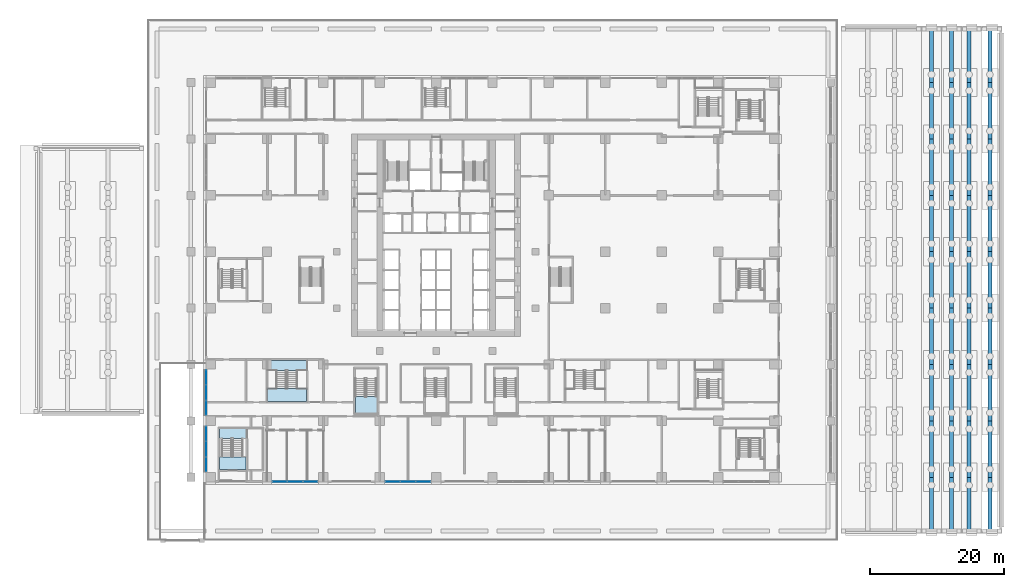
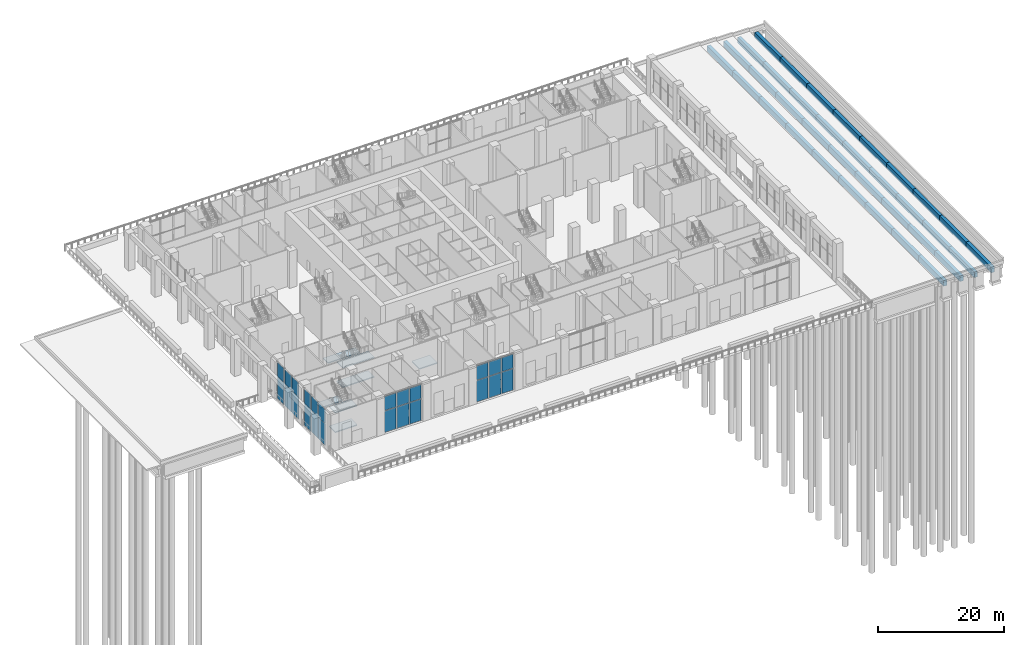
# One storey, part 14 of 53: 36 beams, 24 plates, 7 slabs, 7 elements without a shape of their own.
"""IFC4 building model written with IfcOpenShell, lengths in metres."""

from ifc_helpers import new_model, si_unit, direction, frame, origin, origin_2d, place, context, subcontext, project, spatial, polyline, rectangle, outline, extrude, material, layer, layer_set, material_profile, profile_set, type_object, element, aggregate, save


model = new_model("IFC4")

# Units and contexts
model_context = context("Model", 3, precision=1e-05, world=origin(), true_north=direction((0.0, 1.0)))
body_context = subcontext(model_context, "Body", "Model", "MODEL_VIEW")
ifc_project = project(units=[si_unit("LENGTHUNIT", "METRE"), si_unit("AREAUNIT", "SQUARE_METRE"), si_unit("VOLUMEUNIT", "CUBIC_METRE"), si_unit("PLANEANGLEUNIT", "RADIAN"), si_unit("MASSUNIT", "GRAM", prefix="KILO")], contexts=[model_context])

# Site, building, storey
site_placement = place(None, origin())
site = spatial("IfcSite", under=ifc_project, at=site_placement, CompositionType="ELEMENT")
building_placement = place(site_placement, origin())
building = spatial("IfcBuilding", under=site, at=building_placement, Name="Vermilion Ogive Tower", CompositionType="ELEMENT")
storey_placement = place(building_placement, origin())
storey = spatial("IfcBuildingStorey", under=building, at=storey_placement, Name="L00", CompositionType="ELEMENT", Elevation=0.0)

# Beams
ifc_material_1 = material(Name="Concrete B45", Category="concrete")
ifc_material_profile = material_profile(ifc_material_1, rectangle(XDim=0.60009765625, YDim=1.10009765625, at=origin_2d()), Name="RC 600x1100")
ifc_profile_set = profile_set([ifc_material_profile], Name="Concrete B45")
beam_type = type_object("IfcBeamType", Name="Quay wharf beam QB1 600x1100", PredefinedType="BEAM", material=ifc_profile_set)
beam_1_placement = place(storey_placement, frame((73.800048828125, -37.39990234375, -1.0), z_axis=(0.0, 1.0, 0.0), x_axis=(-1.0, 0.0, 0.0)))
element("IfcBeam", 1, at=beam_1_placement, inside=storey, type_object=beam_type, Name="Quay wharf beam SITE-STEP-1-L 1", PredefinedType="BEAM", context=body_context, shape_type="SweptSolid", body=[
    extrude(rectangle(XDim=0.60009765625, YDim=1.10009765625, at=origin_2d()), origin(), (0.0, 0.0, 1.0), 8.0),
])
for number, where, z_axis, x_axis, name in (
    (2, (73.800048828125, -29.39990234375, -1.0), (0.0, 1.0, 0.0), (-1.0, 0.0, 0.0), "Quay wharf beam SITE-STEP-1-L 2"),
    (3, (73.800048828125, -21.0, -1.0), (0.0, 1.0, 0.0), (-1.0, 0.0, 0.0), "Quay wharf beam SITE-STEP-1-L 3"),
):
    element("IfcBeam", number, at=place(storey_placement, frame(where, z_axis=z_axis, x_axis=x_axis)), inside=storey, type_object=beam_type, Name=name, PredefinedType="BEAM", context=body_context, shape_type="SweptSolid", body=[
        extrude(rectangle(XDim=0.60009765625, YDim=1.10009765625, at=origin_2d()), origin(), (0.0, 0.0, 1.0), 8.39990234375),
    ])
beam_2_placement = place(storey_placement, frame((73.800048828125, -12.60009765625, -1.0), z_axis=(0.0, 1.0, 0.0), x_axis=(-1.0, 0.0, 0.0)))
element("IfcBeam", 4, at=beam_2_placement, inside=storey, type_object=beam_type, Name="Quay wharf beam SITE-STEP-1-L 4", PredefinedType="BEAM", context=body_context, shape_type="SweptSolid", body=[
    extrude(rectangle(XDim=0.60009765625, YDim=1.10009765625, at=origin_2d()), origin(), (0.0, 0.0, 1.0), 8.400146484375),
])
beam_3_placement = place(storey_placement, frame((73.800048828125, -4.199951171875, -1.0), z_axis=(0.0, 1.0, 0.0), x_axis=(-1.0, 0.0, 0.0)))
element("IfcBeam", 5, at=beam_3_placement, inside=storey, type_object=beam_type, Name="Quay wharf beam SITE-STEP-1-L 5", PredefinedType="BEAM", context=body_context, shape_type="SweptSolid", body=[
    extrude(rectangle(XDim=0.60009765625, YDim=1.10009765625, at=origin_2d()), origin(), (0.0, 0.0, 1.0), 8.39990234375),
])
beam_4_placement = place(storey_placement, frame((73.800048828125, 4.199951171875, -1.0), z_axis=(0.0, 1.0, 0.0), x_axis=(-1.0, 0.0, 0.0)))
element("IfcBeam", 6, at=beam_4_placement, inside=storey, type_object=beam_type, Name="Quay wharf beam SITE-STEP-1-L 6", PredefinedType="BEAM", context=body_context, shape_type="SweptSolid", body=[
    extrude(rectangle(XDim=0.60009765625, YDim=1.10009765625, at=origin_2d()), origin(), (0.0, 0.0, 1.0), 8.400146484375),
])
for number, where, z_axis, x_axis, name in (
    (7, (73.800048828125, 12.60009765625, -1.0), (0.0, 1.0, 0.0), (-1.0, 0.0, 0.0), "Quay wharf beam SITE-STEP-1-L 7"),
    (8, (73.800048828125, 21.0, -1.0), (0.0, 1.0, 0.0), (-1.0, 0.0, 0.0), "Quay wharf beam SITE-STEP-1-L 8"),
):
    element("IfcBeam", number, at=place(storey_placement, frame(where, z_axis=z_axis, x_axis=x_axis)), inside=storey, type_object=beam_type, Name=name, PredefinedType="BEAM", context=body_context, shape_type="SweptSolid", body=[
        extrude(rectangle(XDim=0.60009765625, YDim=1.10009765625, at=origin_2d()), origin(), (0.0, 0.0, 1.0), 8.39990234375),
    ])
for number, where, z_axis, x_axis, name in (
    (9, (73.800048828125, 29.39990234375, -1.0), (0.0, 1.0, 0.0), (-1.0, 0.0, 0.0), "Quay wharf beam SITE-STEP-1-L 9"),
    (10, (76.800048828125, -37.39990234375, -1.150146484375), (0.0, 1.0, 0.0), (-1.0, 0.0, 0.0), "Quay wharf beam SITE-STEP-2-L 1"),
):
    element("IfcBeam", number, at=place(storey_placement, frame(where, z_axis=z_axis, x_axis=x_axis)), inside=storey, type_object=beam_type, Name=name, PredefinedType="BEAM", context=body_context, shape_type="SweptSolid", body=[
        extrude(rectangle(XDim=0.60009765625, YDim=1.10009765625, at=origin_2d()), origin(), (0.0, 0.0, 1.0), 8.0),
    ])
for number, where, z_axis, x_axis, name in (
    (11, (76.800048828125, -29.39990234375, -1.150146484375), (0.0, 1.0, 0.0), (-1.0, 0.0, 0.0), "Quay wharf beam SITE-STEP-2-L 2"),
    (12, (76.800048828125, -21.0, -1.150146484375), (0.0, 1.0, 0.0), (-1.0, 0.0, 0.0), "Quay wharf beam SITE-STEP-2-L 3"),
):
    element("IfcBeam", number, at=place(storey_placement, frame(where, z_axis=z_axis, x_axis=x_axis)), inside=storey, type_object=beam_type, Name=name, PredefinedType="BEAM", context=body_context, shape_type="SweptSolid", body=[
        extrude(rectangle(XDim=0.60009765625, YDim=1.10009765625, at=origin_2d()), origin(), (0.0, 0.0, 1.0), 8.39990234375),
    ])
beam_5_placement = place(storey_placement, frame((76.800048828125, -12.60009765625, -1.150146484375), z_axis=(0.0, 1.0, 0.0), x_axis=(-1.0, 0.0, 0.0)))
element("IfcBeam", 13, at=beam_5_placement, inside=storey, type_object=beam_type, Name="Quay wharf beam SITE-STEP-2-L 4", PredefinedType="BEAM", context=body_context, shape_type="SweptSolid", body=[
    extrude(rectangle(XDim=0.60009765625, YDim=1.10009765625, at=origin_2d()), origin(), (0.0, 0.0, 1.0), 8.400146484375),
])
beam_6_placement = place(storey_placement, frame((76.800048828125, -4.199951171875, -1.150146484375), z_axis=(0.0, 1.0, 0.0), x_axis=(-1.0, 0.0, 0.0)))
element("IfcBeam", 14, at=beam_6_placement, inside=storey, type_object=beam_type, Name="Quay wharf beam SITE-STEP-2-L 5", PredefinedType="BEAM", context=body_context, shape_type="SweptSolid", body=[
    extrude(rectangle(XDim=0.60009765625, YDim=1.10009765625, at=origin_2d()), origin(), (0.0, 0.0, 1.0), 8.39990234375),
])
beam_7_placement = place(storey_placement, frame((76.800048828125, 4.199951171875, -1.150146484375), z_axis=(0.0, 1.0, 0.0), x_axis=(-1.0, 0.0, 0.0)))
element("IfcBeam", 15, at=beam_7_placement, inside=storey, type_object=beam_type, Name="Quay wharf beam SITE-STEP-2-L 6", PredefinedType="BEAM", context=body_context, shape_type="SweptSolid", body=[
    extrude(rectangle(XDim=0.60009765625, YDim=1.10009765625, at=origin_2d()), origin(), (0.0, 0.0, 1.0), 8.400146484375),
])
for number, where, z_axis, x_axis, name in (
    (16, (76.800048828125, 12.60009765625, -1.150146484375), (0.0, 1.0, 0.0), (-1.0, 0.0, 0.0), "Quay wharf beam SITE-STEP-2-L 7"),
    (17, (76.800048828125, 21.0, -1.150146484375), (0.0, 1.0, 0.0), (-1.0, 0.0, 0.0), "Quay wharf beam SITE-STEP-2-L 8"),
):
    element("IfcBeam", number, at=place(storey_placement, frame(where, z_axis=z_axis, x_axis=x_axis)), inside=storey, type_object=beam_type, Name=name, PredefinedType="BEAM", context=body_context, shape_type="SweptSolid", body=[
        extrude(rectangle(XDim=0.60009765625, YDim=1.10009765625, at=origin_2d()), origin(), (0.0, 0.0, 1.0), 8.39990234375),
    ])
for number, where, z_axis, x_axis, name in (
    (18, (76.800048828125, 29.39990234375, -1.150146484375), (0.0, 1.0, 0.0), (-1.0, 0.0, 0.0), "Quay wharf beam SITE-STEP-2-L 9"),
    (19, (79.39990234375, -37.39990234375, -1.300048828125), (0.0, 1.0, 0.0), (-1.0, 0.0, 0.0), "Quay wharf beam SITE-STEP-3-L 1"),
):
    element("IfcBeam", number, at=place(storey_placement, frame(where, z_axis=z_axis, x_axis=x_axis)), inside=storey, type_object=beam_type, Name=name, PredefinedType="BEAM", context=body_context, shape_type="SweptSolid", body=[
        extrude(rectangle(XDim=0.60009765625, YDim=1.10009765625, at=origin_2d()), origin(), (0.0, 0.0, 1.0), 8.0),
    ])
for number, where, z_axis, x_axis, name in (
    (20, (79.39990234375, -29.39990234375, -1.300048828125), (0.0, 1.0, 0.0), (-1.0, 0.0, 0.0), "Quay wharf beam SITE-STEP-3-L 2"),
    (21, (79.39990234375, -21.0, -1.300048828125), (0.0, 1.0, 0.0), (-1.0, 0.0, 0.0), "Quay wharf beam SITE-STEP-3-L 3"),
):
    element("IfcBeam", number, at=place(storey_placement, frame(where, z_axis=z_axis, x_axis=x_axis)), inside=storey, type_object=beam_type, Name=name, PredefinedType="BEAM", context=body_context, shape_type="SweptSolid", body=[
        extrude(rectangle(XDim=0.60009765625, YDim=1.10009765625, at=origin_2d()), origin(), (0.0, 0.0, 1.0), 8.39990234375),
    ])
beam_8_placement = place(storey_placement, frame((79.39990234375, -12.60009765625, -1.300048828125), z_axis=(0.0, 1.0, 0.0), x_axis=(-1.0, 0.0, 0.0)))
element("IfcBeam", 22, at=beam_8_placement, inside=storey, type_object=beam_type, Name="Quay wharf beam SITE-STEP-3-L 4", PredefinedType="BEAM", context=body_context, shape_type="SweptSolid", body=[
    extrude(rectangle(XDim=0.60009765625, YDim=1.10009765625, at=origin_2d()), origin(), (0.0, 0.0, 1.0), 8.400146484375),
])
beam_9_placement = place(storey_placement, frame((79.39990234375, -4.199951171875, -1.300048828125), z_axis=(0.0, 1.0, 0.0), x_axis=(-1.0, 0.0, 0.0)))
element("IfcBeam", 23, at=beam_9_placement, inside=storey, type_object=beam_type, Name="Quay wharf beam SITE-STEP-3-L 5", PredefinedType="BEAM", context=body_context, shape_type="SweptSolid", body=[
    extrude(rectangle(XDim=0.60009765625, YDim=1.10009765625, at=origin_2d()), origin(), (0.0, 0.0, 1.0), 8.39990234375),
])
beam_10_placement = place(storey_placement, frame((79.39990234375, 4.199951171875, -1.300048828125), z_axis=(0.0, 1.0, 0.0), x_axis=(-1.0, 0.0, 0.0)))
element("IfcBeam", 24, at=beam_10_placement, inside=storey, type_object=beam_type, Name="Quay wharf beam SITE-STEP-3-L 6", PredefinedType="BEAM", context=body_context, shape_type="SweptSolid", body=[
    extrude(rectangle(XDim=0.60009765625, YDim=1.10009765625, at=origin_2d()), origin(), (0.0, 0.0, 1.0), 8.400146484375),
])
for number, where, z_axis, x_axis, name in (
    (25, (79.39990234375, 12.60009765625, -1.300048828125), (0.0, 1.0, 0.0), (-1.0, 0.0, 0.0), "Quay wharf beam SITE-STEP-3-L 7"),
    (26, (79.39990234375, 21.0, -1.300048828125), (0.0, 1.0, 0.0), (-1.0, 0.0, 0.0), "Quay wharf beam SITE-STEP-3-L 8"),
):
    element("IfcBeam", number, at=place(storey_placement, frame(where, z_axis=z_axis, x_axis=x_axis)), inside=storey, type_object=beam_type, Name=name, PredefinedType="BEAM", context=body_context, shape_type="SweptSolid", body=[
        extrude(rectangle(XDim=0.60009765625, YDim=1.10009765625, at=origin_2d()), origin(), (0.0, 0.0, 1.0), 8.39990234375),
    ])
for number, where, z_axis, x_axis, name in (
    (27, (79.39990234375, 29.39990234375, -1.300048828125), (0.0, 1.0, 0.0), (-1.0, 0.0, 0.0), "Quay wharf beam SITE-STEP-3-L 9"),
    (28, (82.5, -37.39990234375, -1.449951171875), (0.0, 1.0, 0.0), (-1.0, 0.0, 0.0), "Quay wharf beam SITE-STEP-4-L 1"),
):
    element("IfcBeam", number, at=place(storey_placement, frame(where, z_axis=z_axis, x_axis=x_axis)), inside=storey, type_object=beam_type, Name=name, PredefinedType="BEAM", context=body_context, shape_type="SweptSolid", body=[
        extrude(rectangle(XDim=0.60009765625, YDim=1.10009765625, at=origin_2d()), origin(), (0.0, 0.0, 1.0), 8.0),
    ])
for number, where, z_axis, x_axis, name in (
    (29, (82.5, -29.39990234375, -1.449951171875), (0.0, 1.0, 0.0), (-1.0, 0.0, 0.0), "Quay wharf beam SITE-STEP-4-L 2"),
    (30, (82.5, -21.0, -1.449951171875), (0.0, 1.0, 0.0), (-1.0, 0.0, 0.0), "Quay wharf beam SITE-STEP-4-L 3"),
):
    element("IfcBeam", number, at=place(storey_placement, frame(where, z_axis=z_axis, x_axis=x_axis)), inside=storey, type_object=beam_type, Name=name, PredefinedType="BEAM", context=body_context, shape_type="SweptSolid", body=[
        extrude(rectangle(XDim=0.60009765625, YDim=1.10009765625, at=origin_2d()), origin(), (0.0, 0.0, 1.0), 8.39990234375),
    ])
beam_11_placement = place(storey_placement, frame((82.5, -12.60009765625, -1.449951171875), z_axis=(0.0, 1.0, 0.0), x_axis=(-1.0, 0.0, 0.0)))
element("IfcBeam", 31, at=beam_11_placement, inside=storey, type_object=beam_type, Name="Quay wharf beam SITE-STEP-4-L 4", PredefinedType="BEAM", context=body_context, shape_type="SweptSolid", body=[
    extrude(rectangle(XDim=0.60009765625, YDim=1.10009765625, at=origin_2d()), origin(), (0.0, 0.0, 1.0), 8.400146484375),
])
beam_12_placement = place(storey_placement, frame((82.5, -4.199951171875, -1.449951171875), z_axis=(0.0, 1.0, 0.0), x_axis=(-1.0, 0.0, 0.0)))
element("IfcBeam", 32, at=beam_12_placement, inside=storey, type_object=beam_type, Name="Quay wharf beam SITE-STEP-4-L 5", PredefinedType="BEAM", context=body_context, shape_type="SweptSolid", body=[
    extrude(rectangle(XDim=0.60009765625, YDim=1.10009765625, at=origin_2d()), origin(), (0.0, 0.0, 1.0), 8.39990234375),
])
beam_13_placement = place(storey_placement, frame((82.5, 4.199951171875, -1.449951171875), z_axis=(0.0, 1.0, 0.0), x_axis=(-1.0, 0.0, 0.0)))
element("IfcBeam", 33, at=beam_13_placement, inside=storey, type_object=beam_type, Name="Quay wharf beam SITE-STEP-4-L 6", PredefinedType="BEAM", context=body_context, shape_type="SweptSolid", body=[
    extrude(rectangle(XDim=0.60009765625, YDim=1.10009765625, at=origin_2d()), origin(), (0.0, 0.0, 1.0), 8.400146484375),
])
for number, where, z_axis, x_axis, name in (
    (34, (82.5, 12.60009765625, -1.449951171875), (0.0, 1.0, 0.0), (-1.0, 0.0, 0.0), "Quay wharf beam SITE-STEP-4-L 7"),
    (35, (82.5, 21.0, -1.449951171875), (0.0, 1.0, 0.0), (-1.0, 0.0, 0.0), "Quay wharf beam SITE-STEP-4-L 8"),
):
    element("IfcBeam", number, at=place(storey_placement, frame(where, z_axis=z_axis, x_axis=x_axis)), inside=storey, type_object=beam_type, Name=name, PredefinedType="BEAM", context=body_context, shape_type="SweptSolid", body=[
        extrude(rectangle(XDim=0.60009765625, YDim=1.10009765625, at=origin_2d()), origin(), (0.0, 0.0, 1.0), 8.39990234375),
    ])
beam_14_placement = place(storey_placement, frame((82.5, 29.39990234375, -1.449951171875), z_axis=(0.0, 1.0, 0.0), x_axis=(-1.0, 0.0, 0.0)))
element("IfcBeam", 36, at=beam_14_placement, inside=storey, type_object=beam_type, Name="Quay wharf beam SITE-STEP-4-L 9", PredefinedType="BEAM", context=body_context, shape_type="SweptSolid", body=[
    extrude(rectangle(XDim=0.60009765625, YDim=1.10009765625, at=origin_2d()), origin(), (0.0, 0.0, 1.0), 8.0),
])

# Curtain wall, plates
ifc_material_2 = material(Name="Clear double glazing in aluminium frame", Category="aluminium")
curtain_wall_type = type_object("IfcCurtainWallType", Name="Curtain wall CW1", PredefinedType="NOTDEFINED", material=ifc_material_2)
curtain_wall_1_placement = place(storey_placement, origin())
curtain_wall_1 = element("IfcCurtainWall", 37, at=curtain_wall_1_placement, inside=storey, type_object=curtain_wall_type, Name="CW1 shopfront glazing S2", PredefinedType="NOTDEFINED")
ifc_material_3 = material(Name="Clear double glazing in aluminium frame", Category="aluminium")
ifc_layer_1 = layer(ifc_material_3, 0.031982421875)
ifc_layer_set_1 = layer_set([ifc_layer_1], Name="CW1 glazing panel 32")
plate_type = type_object("IfcPlateType", Name="CW1 glazing panel 32", PredefinedType="CURTAIN_PANEL", material=ifc_layer_set_1)
plate_1_placement = place(storey_placement, frame((-23.288330078125, -30.06005859375, 0.06005859375), z_axis=(0.0, 0.0, 1.0), x_axis=(1.0, 0.0, 0.0)))
plate_1 = element("IfcPlate", 38, at=plate_1_placement, type_object=plate_type, Name="CW1-S2 panel 1.1", PredefinedType="CURTAIN_PANEL", context=body_context, shape_type="SweptSolid", body=[
    extrude(rectangle(XDim=2.063232421875, YDim=0.031982421875, at=origin_2d()), origin(), (0.0, 0.0, 1.0), 4.169921875),
])
plate_2_placement = place(storey_placement, frame((-23.288330078125, -30.06005859375, 4.2900390625), z_axis=(0.0, 0.0, 1.0), x_axis=(1.0, 0.0, 0.0)))
plate_2 = element("IfcPlate", 39, at=plate_2_placement, type_object=plate_type, Name="CW1-S2 panel 1.2", PredefinedType="CURTAIN_PANEL", context=body_context, shape_type="SweptSolid", body=[
    extrude(rectangle(XDim=2.063232421875, YDim=0.031982421875, at=origin_2d()), origin(), (0.0, 0.0, 1.0), 2.75),
])
plate_3_placement = place(storey_placement, frame((-21.0, -30.06005859375, 0.06005859375), z_axis=(0.0, 0.0, 1.0), x_axis=(1.0, 0.0, 0.0)))
plate_3 = element("IfcPlate", 40, at=plate_3_placement, type_object=plate_type, Name="CW1-S2 panel 2.1", PredefinedType="CURTAIN_PANEL", context=body_context, shape_type="SweptSolid", body=[
    extrude(rectangle(XDim=2.1533203125, YDim=0.031982421875, at=origin_2d()), origin(), (0.0, 0.0, 1.0), 4.169921875),
])
plate_4_placement = place(storey_placement, frame((-21.0, -30.06005859375, 4.2900390625), z_axis=(0.0, 0.0, 1.0), x_axis=(1.0, 0.0, 0.0)))
plate_4 = element("IfcPlate", 41, at=plate_4_placement, type_object=plate_type, Name="CW1-S2 panel 2.2", PredefinedType="CURTAIN_PANEL", context=body_context, shape_type="SweptSolid", body=[
    extrude(rectangle(XDim=2.1533203125, YDim=0.031982421875, at=origin_2d()), origin(), (0.0, 0.0, 1.0), 2.75),
])
plate_5_placement = place(storey_placement, frame((-18.711669921875, -30.06005859375, 0.06005859375), z_axis=(0.0, 0.0, 1.0), x_axis=(1.0, 0.0, 0.0)))
plate_5 = element("IfcPlate", 42, at=plate_5_placement, type_object=plate_type, Name="CW1-S2 panel 3.1", PredefinedType="CURTAIN_PANEL", context=body_context, shape_type="SweptSolid", body=[
    extrude(rectangle(XDim=2.063232421875, YDim=0.031982421875, at=origin_2d()), origin(), (0.0, 0.0, 1.0), 4.169921875),
])
plate_6_placement = place(storey_placement, frame((-18.711669921875, -30.06005859375, 4.2900390625), z_axis=(0.0, 0.0, 1.0), x_axis=(1.0, 0.0, 0.0)))
plate_6 = element("IfcPlate", 43, at=plate_6_placement, type_object=plate_type, Name="CW1-S2 panel 3.2", PredefinedType="CURTAIN_PANEL", context=body_context, shape_type="SweptSolid", body=[
    extrude(rectangle(XDim=2.063232421875, YDim=0.031982421875, at=origin_2d()), origin(), (0.0, 0.0, 1.0), 2.75),
])
aggregate(curtain_wall_1, [plate_1, plate_2, plate_3, plate_4, plate_5, plate_6])

curtain_wall_2_placement = place(storey_placement, origin())
curtain_wall_2 = element("IfcCurtainWall", 44, at=curtain_wall_2_placement, inside=storey, type_object=curtain_wall_type, Name="CW1 shopfront glazing S4", PredefinedType="NOTDEFINED")
plate_7_placement = place(storey_placement, frame((-6.48828125, -30.06005859375, 0.06005859375), z_axis=(0.0, 0.0, 1.0), x_axis=(1.0, 0.0, 0.0)))
plate_7 = element("IfcPlate", 45, at=plate_7_placement, type_object=plate_type, Name="CW1-S4 panel 1.1", PredefinedType="CURTAIN_PANEL", context=body_context, shape_type="SweptSolid", body=[
    extrude(rectangle(XDim=2.063232421875, YDim=0.031982421875, at=origin_2d()), origin(), (0.0, 0.0, 1.0), 4.169921875),
])
plate_8_placement = place(storey_placement, frame((-6.48828125, -30.06005859375, 4.2900390625), z_axis=(0.0, 0.0, 1.0), x_axis=(1.0, 0.0, 0.0)))
plate_8 = element("IfcPlate", 46, at=plate_8_placement, type_object=plate_type, Name="CW1-S4 panel 1.2", PredefinedType="CURTAIN_PANEL", context=body_context, shape_type="SweptSolid", body=[
    extrude(rectangle(XDim=2.063232421875, YDim=0.031982421875, at=origin_2d()), origin(), (0.0, 0.0, 1.0), 2.75),
])
plate_9_placement = place(storey_placement, frame((-4.199951171875, -30.06005859375, 0.06005859375), z_axis=(0.0, 0.0, 1.0), x_axis=(1.0, 0.0, 0.0)))
plate_9 = element("IfcPlate", 47, at=plate_9_placement, type_object=plate_type, Name="CW1-S4 panel 2.1", PredefinedType="CURTAIN_PANEL", context=body_context, shape_type="SweptSolid", body=[
    extrude(rectangle(XDim=2.1533203125, YDim=0.031982421875, at=origin_2d()), origin(), (0.0, 0.0, 1.0), 4.169921875),
])
plate_10_placement = place(storey_placement, frame((-4.199951171875, -30.06005859375, 4.2900390625), z_axis=(0.0, 0.0, 1.0), x_axis=(1.0, 0.0, 0.0)))
plate_10 = element("IfcPlate", 48, at=plate_10_placement, type_object=plate_type, Name="CW1-S4 panel 2.2", PredefinedType="CURTAIN_PANEL", context=body_context, shape_type="SweptSolid", body=[
    extrude(rectangle(XDim=2.1533203125, YDim=0.031982421875, at=origin_2d()), origin(), (0.0, 0.0, 1.0), 2.75),
])
plate_11_placement = place(storey_placement, frame((-1.91162109375, -30.06005859375, 0.06005859375), z_axis=(0.0, 0.0, 1.0), x_axis=(1.0, 0.0, 0.0)))
plate_11 = element("IfcPlate", 49, at=plate_11_placement, type_object=plate_type, Name="CW1-S4 panel 3.1", PredefinedType="CURTAIN_PANEL", context=body_context, shape_type="SweptSolid", body=[
    extrude(rectangle(XDim=2.063232421875, YDim=0.031982421875, at=origin_2d()), origin(), (0.0, 0.0, 1.0), 4.169921875),
])
plate_12_placement = place(storey_placement, frame((-1.91162109375, -30.06005859375, 4.2900390625), z_axis=(0.0, 0.0, 1.0), x_axis=(1.0, 0.0, 0.0)))
plate_12 = element("IfcPlate", 50, at=plate_12_placement, type_object=plate_type, Name="CW1-S4 panel 3.2", PredefinedType="CURTAIN_PANEL", context=body_context, shape_type="SweptSolid", body=[
    extrude(rectangle(XDim=2.063232421875, YDim=0.031982421875, at=origin_2d()), origin(), (0.0, 0.0, 1.0), 2.75),
])
aggregate(curtain_wall_2, [plate_7, plate_8, plate_9, plate_10, plate_11, plate_12])

curtain_wall_3_placement = place(storey_placement, origin())
curtain_wall_3 = element("IfcCurtainWall", 51, at=curtain_wall_3_placement, inside=storey, type_object=curtain_wall_type, Name="CW1 shopfront glazing W6", PredefinedType="NOTDEFINED")
plate_13_placement = place(storey_placement, frame((-34.260009765625, -14.51171875, 0.06005859375), z_axis=(0.0, 0.0, 1.0), x_axis=(0.0, -1.0, 0.0)))
plate_13 = element("IfcPlate", 52, at=plate_13_placement, type_object=plate_type, Name="CW1-W6 panel 1.1", PredefinedType="CURTAIN_PANEL", context=body_context, shape_type="SweptSolid", body=[
    extrude(rectangle(XDim=2.063232421875, YDim=0.031982421875, at=origin_2d()), origin(), (0.0, 0.0, 1.0), 4.169921875),
])
plate_14_placement = place(storey_placement, frame((-34.260009765625, -14.51171875, 4.2900390625), z_axis=(0.0, 0.0, 1.0), x_axis=(0.0, -1.0, 0.0)))
plate_14 = element("IfcPlate", 53, at=plate_14_placement, type_object=plate_type, Name="CW1-W6 panel 1.2", PredefinedType="CURTAIN_PANEL", context=body_context, shape_type="SweptSolid", body=[
    extrude(rectangle(XDim=2.063232421875, YDim=0.031982421875, at=origin_2d()), origin(), (0.0, 0.0, 1.0), 2.75),
])
plate_15_placement = place(storey_placement, frame((-34.260009765625, -16.800048828125, 0.06005859375), z_axis=(0.0, 0.0, 1.0), x_axis=(0.0, -1.0, 0.0)))
plate_15 = element("IfcPlate", 54, at=plate_15_placement, type_object=plate_type, Name="CW1-W6 panel 2.1", PredefinedType="CURTAIN_PANEL", context=body_context, shape_type="SweptSolid", body=[
    extrude(rectangle(XDim=2.1533203125, YDim=0.031982421875, at=origin_2d()), origin(), (0.0, 0.0, 1.0), 4.169921875),
])
plate_16_placement = place(storey_placement, frame((-34.260009765625, -16.800048828125, 4.2900390625), z_axis=(0.0, 0.0, 1.0), x_axis=(0.0, -1.0, 0.0)))
plate_16 = element("IfcPlate", 55, at=plate_16_placement, type_object=plate_type, Name="CW1-W6 panel 2.2", PredefinedType="CURTAIN_PANEL", context=body_context, shape_type="SweptSolid", body=[
    extrude(rectangle(XDim=2.1533203125, YDim=0.031982421875, at=origin_2d()), origin(), (0.0, 0.0, 1.0), 2.75),
])
plate_17_placement = place(storey_placement, frame((-34.260009765625, -19.08837890625, 0.06005859375), z_axis=(0.0, 0.0, 1.0), x_axis=(0.0, -1.0, 0.0)))
plate_17 = element("IfcPlate", 56, at=plate_17_placement, type_object=plate_type, Name="CW1-W6 panel 3.1", PredefinedType="CURTAIN_PANEL", context=body_context, shape_type="SweptSolid", body=[
    extrude(rectangle(XDim=2.063232421875, YDim=0.031982421875, at=origin_2d()), origin(), (0.0, 0.0, 1.0), 4.169921875),
])
plate_18_placement = place(storey_placement, frame((-34.260009765625, -19.08837890625, 4.2900390625), z_axis=(0.0, 0.0, 1.0), x_axis=(0.0, -1.0, 0.0)))
plate_18 = element("IfcPlate", 57, at=plate_18_placement, type_object=plate_type, Name="CW1-W6 panel 3.2", PredefinedType="CURTAIN_PANEL", context=body_context, shape_type="SweptSolid", body=[
    extrude(rectangle(XDim=2.063232421875, YDim=0.031982421875, at=origin_2d()), origin(), (0.0, 0.0, 1.0), 2.75),
])
aggregate(curtain_wall_3, [plate_13, plate_14, plate_15, plate_16, plate_17, plate_18])

curtain_wall_4_placement = place(storey_placement, origin())
curtain_wall_4 = element("IfcCurtainWall", 58, at=curtain_wall_4_placement, inside=storey, type_object=curtain_wall_type, Name="CW1 shopfront glazing W7", PredefinedType="NOTDEFINED")
plate_19_placement = place(storey_placement, frame((-34.260009765625, -22.91162109375, 0.06005859375), z_axis=(0.0, 0.0, 1.0), x_axis=(0.0, -1.0, 0.0)))
plate_19 = element("IfcPlate", 59, at=plate_19_placement, type_object=plate_type, Name="CW1-W7 panel 1.1", PredefinedType="CURTAIN_PANEL", context=body_context, shape_type="SweptSolid", body=[
    extrude(rectangle(XDim=2.063232421875, YDim=0.031982421875, at=origin_2d()), origin(), (0.0, 0.0, 1.0), 4.169921875),
])
plate_20_placement = place(storey_placement, frame((-34.260009765625, -22.91162109375, 4.2900390625), z_axis=(0.0, 0.0, 1.0), x_axis=(0.0, -1.0, 0.0)))
plate_20 = element("IfcPlate", 60, at=plate_20_placement, type_object=plate_type, Name="CW1-W7 panel 1.2", PredefinedType="CURTAIN_PANEL", context=body_context, shape_type="SweptSolid", body=[
    extrude(rectangle(XDim=2.063232421875, YDim=0.031982421875, at=origin_2d()), origin(), (0.0, 0.0, 1.0), 2.75),
])
plate_21_placement = place(storey_placement, frame((-34.260009765625, -25.199951171875, 0.06005859375), z_axis=(0.0, 0.0, 1.0), x_axis=(0.0, -1.0, 0.0)))
plate_21 = element("IfcPlate", 61, at=plate_21_placement, type_object=plate_type, Name="CW1-W7 panel 2.1", PredefinedType="CURTAIN_PANEL", context=body_context, shape_type="SweptSolid", body=[
    extrude(rectangle(XDim=2.1533203125, YDim=0.031982421875, at=origin_2d()), origin(), (0.0, 0.0, 1.0), 4.169921875),
])
plate_22_placement = place(storey_placement, frame((-34.260009765625, -25.199951171875, 4.2900390625), z_axis=(0.0, 0.0, 1.0), x_axis=(0.0, -1.0, 0.0)))
plate_22 = element("IfcPlate", 62, at=plate_22_placement, type_object=plate_type, Name="CW1-W7 panel 2.2", PredefinedType="CURTAIN_PANEL", context=body_context, shape_type="SweptSolid", body=[
    extrude(rectangle(XDim=2.1533203125, YDim=0.031982421875, at=origin_2d()), origin(), (0.0, 0.0, 1.0), 2.75),
])
plate_23_placement = place(storey_placement, frame((-34.260009765625, -27.48828125, 0.06005859375), z_axis=(0.0, 0.0, 1.0), x_axis=(0.0, -1.0, 0.0)))
plate_23 = element("IfcPlate", 63, at=plate_23_placement, type_object=plate_type, Name="CW1-W7 panel 3.1", PredefinedType="CURTAIN_PANEL", context=body_context, shape_type="SweptSolid", body=[
    extrude(rectangle(XDim=2.063232421875, YDim=0.031982421875, at=origin_2d()), origin(), (0.0, 0.0, 1.0), 4.169921875),
])
plate_24_placement = place(storey_placement, frame((-34.260009765625, -27.48828125, 4.2900390625), z_axis=(0.0, 0.0, 1.0), x_axis=(0.0, -1.0, 0.0)))
plate_24 = element("IfcPlate", 64, at=plate_24_placement, type_object=plate_type, Name="CW1-W7 panel 3.2", PredefinedType="CURTAIN_PANEL", context=body_context, shape_type="SweptSolid", body=[
    extrude(rectangle(XDim=2.063232421875, YDim=0.031982421875, at=origin_2d()), origin(), (0.0, 0.0, 1.0), 2.75),
])
aggregate(curtain_wall_4, [plate_19, plate_20, plate_21, plate_22, plate_23, plate_24])

# Stair, slab
ifc_material_4 = material(Name="Concrete B40", Category="concrete")
stair_type = type_object("IfcStairType", Name="Exit stair 1500", PredefinedType="HALF_TURN_STAIR", material=ifc_material_4)
stair_1_placement = place(storey_placement, origin())
stair_1 = element("IfcStair", 65, at=stair_1_placement, inside=storey, type_object=stair_type, Name="L00 Exit Stair ST3", PredefinedType="HALF_TURN_STAIR")
ifc_material_5 = material(Name="Concrete B40", Category="concrete")
ifc_layer_2 = layer(ifc_material_5, 0.199951171875)
ifc_layer_set_2 = layer_set([ifc_layer_2], Name="Stair landing 200")
slab_type = type_object("IfcSlabType", Name="Stair landing 200", PredefinedType="LANDING", material=ifc_layer_set_2)
slab_1_placement = place(storey_placement, frame((0.0, 0.0, 1.675048828125)))
slab_1 = element("IfcSlab", 66, at=slab_1_placement, type_object=slab_type, Name="ST3 landing 1", PredefinedType="LANDING", context=body_context, shape_type="SweptSolid", body=[
    extrude(outline(polyline([(-8.75, -17.39990234375), (-8.89990234375, -17.39990234375), (-8.89990234375, -17.39794921875), (-10.39990234375, -17.39794921875), (-10.39990234375, -17.39990234375), (-10.550048828125, -17.39990234375), (-10.550048828125, -17.39794921875), (-12.050048828125, -17.39794921875), (-12.050048828125, -19.800048828125), (-8.75, -19.800048828125), (-8.75, -17.39990234375)])), origin(), (0.0, 0.0, 1.0), 0.199951171875),
])
aggregate(stair_1, [slab_1])

# Stair, slabs
stair_2_placement = place(storey_placement, origin())
stair_2 = element("IfcStair", 67, at=stair_2_placement, inside=storey, type_object=stair_type, Name="L00 Exit Stair PS4", PredefinedType="HALF_TURN_STAIR")
slab_2_placement = place(storey_placement, frame((0.0, 0.0, 1.675048828125)))
slab_2 = element("IfcSlab", 68, at=slab_2_placement, type_object=slab_type, Name="PS4 landing 1", PredefinedType="LANDING", context=body_context, shape_type="SweptSolid", body=[
    extrude(outline(polyline([(-19.300048828125, -16.199951171875), (-20.699951171875, -16.199951171875), (-20.699951171875, -16.197998046875), (-22.199951171875, -16.197998046875), (-22.199951171875, -16.199951171875), (-22.35009765625, -16.199951171875), (-22.35009765625, -16.197998046875), (-23.85009765625, -16.197998046875), (-23.85009765625, -16.199951171875), (-25.099853515625, -16.199951171875), (-25.099853515625, -18.125), (-19.300048828125, -18.125), (-19.300048828125, -16.199951171875)])), origin(), (0.0, 0.0, 1.0), 0.199951171875),
])
slab_3_placement = place(storey_placement, frame((0.0, 0.0, 3.550048828125)))
slab_3 = element("IfcSlab", 69, at=slab_3_placement, type_object=slab_type, Name="PS4 landing 2", PredefinedType="LANDING", context=body_context, shape_type="SweptSolid", body=[
    extrude(outline(polyline([(-25.099853515625, -13.5), (-23.85009765625, -13.5), (-23.85009765625, -13.501953125), (-22.35009765625, -13.501953125), (-22.35009765625, -13.5), (-22.199951171875, -13.5), (-22.199951171875, -13.501953125), (-20.699951171875, -13.501953125), (-20.699951171875, -13.5), (-19.300048828125, -13.5), (-19.300048828125, -11.974853515625), (-25.099853515625, -11.974853515625), (-25.099853515625, -13.5)])), origin(), (0.0, 0.0, 1.0), 0.199951171875),
])
slab_4_placement = place(storey_placement, frame((0.0, 0.0, 5.425048828125)))
slab_4 = element("IfcSlab", 70, at=slab_4_placement, type_object=slab_type, Name="PS4 landing 3", PredefinedType="LANDING", context=body_context, shape_type="SweptSolid", body=[
    extrude(outline(polyline([(-19.300048828125, -16.199951171875), (-20.699951171875, -16.199951171875), (-20.699951171875, -16.197998046875), (-22.199951171875, -16.197998046875), (-22.199951171875, -16.199951171875), (-22.35009765625, -16.199951171875), (-22.35009765625, -16.197998046875), (-23.85009765625, -16.197998046875), (-23.85009765625, -16.199951171875), (-25.099853515625, -16.199951171875), (-25.099853515625, -18.125), (-19.300048828125, -18.125), (-19.300048828125, -16.199951171875)])), origin(), (0.0, 0.0, 1.0), 0.199951171875),
])
aggregate(stair_2, [slab_2, slab_3, slab_4])

stair_3_placement = place(storey_placement, origin())
stair_3 = element("IfcStair", 71, at=stair_3_placement, inside=storey, type_object=stair_type, Name="L00 Exit Stair PWS", PredefinedType="HALF_TURN_STAIR")
slab_5_placement = place(storey_placement, frame((0.0, 0.0, 1.675048828125)))
slab_5 = element("IfcSlab", 72, at=slab_5_placement, type_object=slab_type, Name="PWS landing 1", PredefinedType="LANDING", context=body_context, shape_type="SweptSolid", body=[
    extrude(outline(polyline([(-28.300048828125, -26.35009765625), (-28.800048828125, -26.35009765625), (-28.800048828125, -26.347900390625), (-30.300048828125, -26.347900390625), (-30.300048828125, -26.35009765625), (-30.449951171875, -26.35009765625), (-30.449951171875, -26.347900390625), (-31.949951171875, -26.347900390625), (-31.949951171875, -26.35009765625), (-32.2998046875, -26.35009765625), (-32.2998046875, -28.275146484375), (-28.300048828125, -28.275146484375), (-28.300048828125, -26.35009765625)])), origin(), (0.0, 0.0, 1.0), 0.199951171875),
])
slab_6_placement = place(storey_placement, frame((0.0, 0.0, 3.550048828125)))
slab_6 = element("IfcSlab", 73, at=slab_6_placement, type_object=slab_type, Name="PWS landing 2", PredefinedType="LANDING", context=body_context, shape_type="SweptSolid", body=[
    extrude(outline(polyline([(-32.2998046875, -23.64990234375), (-31.949951171875, -23.64990234375), (-31.949951171875, -23.652099609375), (-30.449951171875, -23.652099609375), (-30.449951171875, -23.64990234375), (-30.300048828125, -23.64990234375), (-30.300048828125, -23.652099609375), (-28.800048828125, -23.652099609375), (-28.800048828125, -23.64990234375), (-28.300048828125, -23.64990234375), (-28.300048828125, -22.150146484375), (-32.2998046875, -22.150146484375), (-32.2998046875, -23.64990234375)])), origin(), (0.0, 0.0, 1.0), 0.199951171875),
])
slab_7_placement = place(storey_placement, frame((0.0, 0.0, 5.425048828125)))
slab_7 = element("IfcSlab", 74, at=slab_7_placement, type_object=slab_type, Name="PWS landing 3", PredefinedType="LANDING", context=body_context, shape_type="SweptSolid", body=[
    extrude(outline(polyline([(-28.300048828125, -26.35009765625), (-28.800048828125, -26.35009765625), (-28.800048828125, -26.347900390625), (-30.300048828125, -26.347900390625), (-30.300048828125, -26.35009765625), (-30.449951171875, -26.35009765625), (-30.449951171875, -26.347900390625), (-31.949951171875, -26.347900390625), (-31.949951171875, -26.35009765625), (-32.2998046875, -26.35009765625), (-32.2998046875, -28.275146484375), (-28.300048828125, -28.275146484375), (-28.300048828125, -26.35009765625)])), origin(), (0.0, 0.0, 1.0), 0.199951171875),
])
aggregate(stair_3, [slab_5, slab_6, slab_7])

save(model, "model.ifc")
